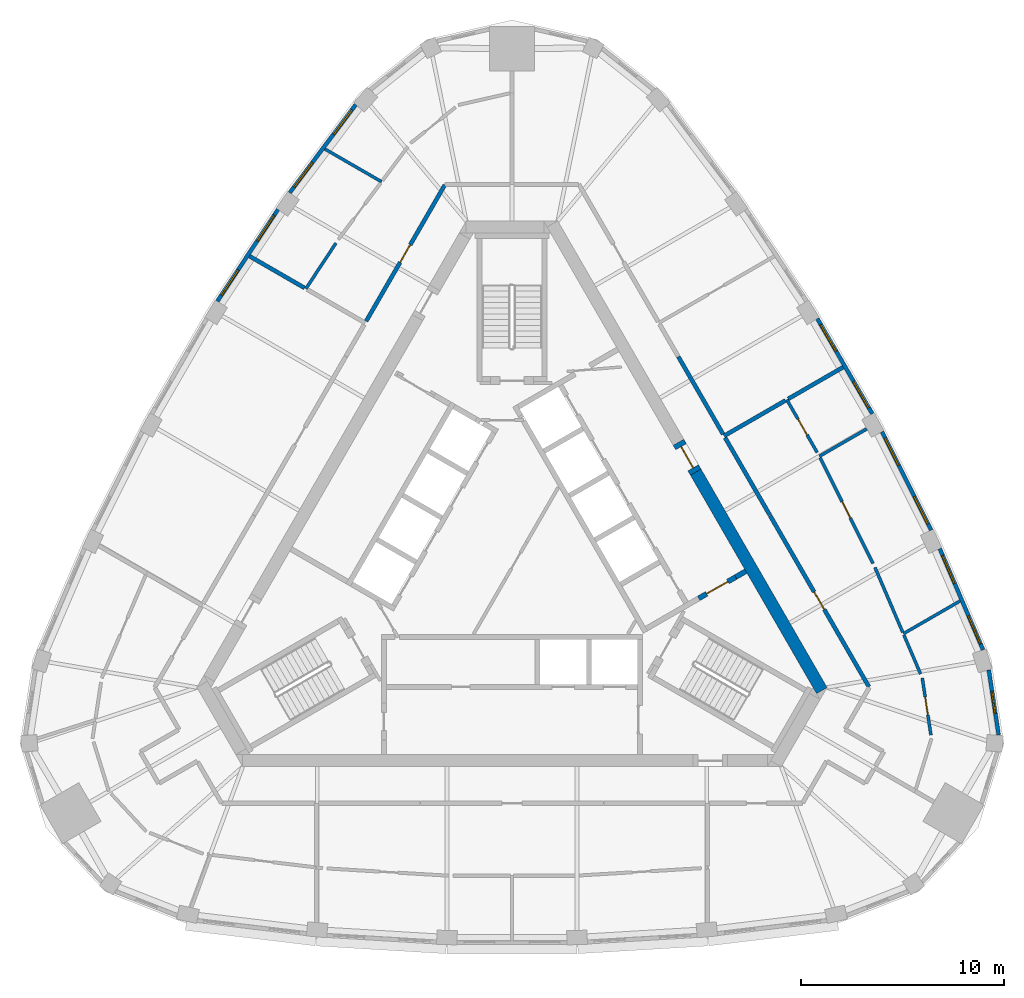
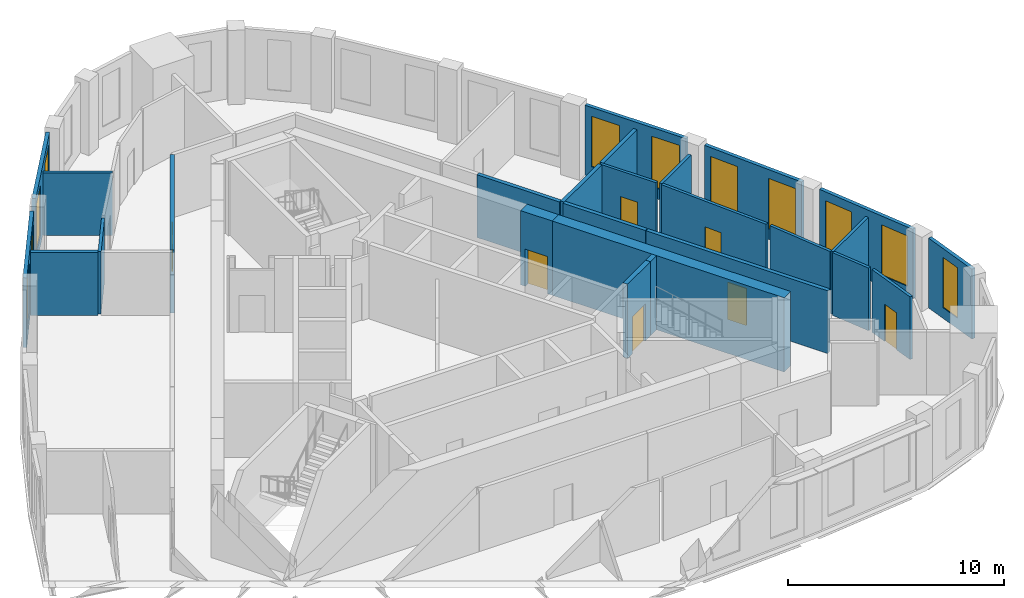
# One storey, part 7 of 10: 26 walls, 11 windows, 7 doors, 18 openings.
"""IFC4 building model written with IfcOpenShell, lengths in metres."""

from ifc_helpers import new_model, si_unit, direction, frame, frame_2d, origin, place, context, subcontext, project, spatial, rectangle, extrude, material, layer, layer_set, type_object, element, fill, save


model = new_model("IFC4")

# Units and contexts
model_context = context("Model", 3, precision=1e-05, world=origin(), true_north=direction((0.0, 1.0)))
body_context = subcontext(model_context, "Body", "Model", "MODEL_VIEW")
ifc_project = project(units=[si_unit("LENGTHUNIT", "METRE"), si_unit("AREAUNIT", "SQUARE_METRE"), si_unit("VOLUMEUNIT", "CUBIC_METRE"), si_unit("PLANEANGLEUNIT", "RADIAN"), si_unit("MASSUNIT", "GRAM", prefix="KILO")], contexts=[model_context])

# Site, building, storey
site_placement = place(None, origin())
site = spatial("IfcSite", under=ifc_project, at=site_placement, CompositionType="ELEMENT")
building_placement = place(site_placement, origin())
building = spatial("IfcBuilding", under=site, at=building_placement, Name="Mestral Congress Tower", CompositionType="ELEMENT")
storey_placement = place(building_placement, frame((0.0, 0.0, 313.199951171875)))
storey = spatial("IfcBuildingStorey", under=building, at=storey_placement, Name="L73", CompositionType="ELEMENT", Elevation=313.199951171875)

# Wall
ifc_material_1 = material(Name="Concrete C60/75", Category="concrete")
ifc_layer_1 = layer(ifc_material_1, 0.60009765625)
ifc_layer_set_1 = layer_set([ifc_layer_1], Name="Concrete C60/75")
wall_type_1 = type_object("IfcWallType", Name="Core wall RC 600", PredefinedType="SOLIDWALL", material=ifc_layer_set_1)
wall_1_placement = place(storey_placement, frame((9.0419921875, 4.23876953125, 0.0), z_axis=(0.0, 0.0, 1.0), x_axis=(0.500005785455, -0.866022063525, 0.0)))
element("IfcWall", 1, at=wall_1_placement, inside=storey, type_object=wall_type_1, Name="L73 core wall", PredefinedType="SOLIDWALL", context=body_context, shape_type="SweptSolid", body=[
    extrude(rectangle(XDim=12.406494140625, YDim=0.60009765625, at=frame_2d((6.203125, 0.0))), origin(), (0.0, 0.0, 1.0), 4.199951171875),
])

# Wall, opening, door
wall_2_placement = place(storey_placement, frame((8.19189453125, 5.711181640625, 0.0), z_axis=(0.0, 0.0, 1.0), x_axis=(0.500062241894, -0.865989465428, 0.0)))
wall_2 = element("IfcWall", 2, at=wall_2_placement, inside=storey, type_object=wall_type_1, Name="L73 door wall", PredefinedType="SOLIDWALL", context=body_context, shape_type="SweptSolid", body=[
    extrude(rectangle(XDim=1.699951171875, YDim=0.60009765625, at=frame_2d((0.85009765625, 0.0))), origin(), (0.0, 0.0, 1.0), 4.199951171875),
])
opening_1_placement = place(wall_2_placement, frame((0.25, 0.0, 0.0)))
opening_1 = element("IfcOpeningElement", 3, at=opening_1_placement, cuts=wall_2, Name="Opening XDL", PredefinedType="OPENING", context=body_context, shape_type="SweptSolid", body=[
    extrude(rectangle(XDim=1.199951171875, YDim=2.10009765625, at=frame_2d((0.60009765625, 1.050048828125))), frame((0.0, 0.31005859375, 0.0), z_axis=(0.0, -1.0, 0.0), x_axis=(1.0, 0.0, 0.0)), (0.0, 0.0, 1.0), 0.6201171875),
])
ifc_material_2 = material(Name="Fire-rated steel door set", Category="steel")
door_type_1 = type_object("IfcDoorType", Name="Core door XD 1200x2100", OperationType="SINGLE_SWING_LEFT", PredefinedType="DOOR", material=ifc_material_2)
door_1_placement = place(opening_1_placement, origin())
door_1 = element("IfcDoor", 4, at=door_1_placement, inside=storey, type_object=door_type_1, Name="Door XDL", OperationType="SINGLE_SWING_LEFT", OverallHeight=2.10009765625, OverallWidth=1.199951171875, PredefinedType="DOOR", context=body_context, shape_type="SweptSolid", body=[
    extrude(rectangle(XDim=1.199951171875, YDim=2.10009765625, at=frame_2d((0.60009765625, 1.050048828125))), frame((0.0, 0.02490234375, 0.0), z_axis=(0.0, -1.0, 0.0), x_axis=(1.0, 0.0, 0.0)), (0.0, 0.0, 1.0), 0.050048828125),
])
fill(opening_1, door_1)

# Wall, opening, window
ifc_material_3 = material(Name="Precast concrete C40/50 with limestone facing", Category="masonry")
ifc_layer_2 = layer(ifc_material_3, 0.18994140625)
ifc_layer_set_2 = layer_set([ifc_layer_2], Name="Precast concrete C40/50 with limestone facing")
wall_type_2 = type_object("IfcWallType", Name="Facade stone wall 190", PredefinedType="SOLIDWALL", material=ifc_layer_set_2)
wall_3_placement = place(storey_placement, frame((23.94384765625, -8.6884765625, 0.0), z_axis=(0.0, 0.0, 1.0), x_axis=(-0.149421055602, 0.988773658702, 0.0)))
wall_3 = element("IfcWall", 5, at=wall_3_placement, inside=storey, type_object=wall_type_2, Name="Facade wall K0-3", PredefinedType="SOLIDWALL", context=body_context, shape_type="SweptSolid", body=[
    extrude(rectangle(XDim=3.23681640625, YDim=0.18994140625, at=frame_2d((1.618408203125, 0.0))), origin(), (0.0, 0.0, 1.0), 3.949951171875),
])
opening_2_placement = place(wall_3_placement, frame((1.068359375, 0.0, 0.60009765625)))
opening_2 = element("IfcOpeningElement", 6, at=opening_2_placement, cuts=wall_3, Name="Opening W7", PredefinedType="OPENING", context=body_context, shape_type="SweptSolid", body=[
    extrude(rectangle(XDim=1.10009765625, YDim=2.85009765625, at=frame_2d((0.550048828125, 1.425048828125))), frame((0.0, 0.10498046875, 0.0), z_axis=(0.0, -1.0, 0.0), x_axis=(1.0, 0.0, 0.0)), (0.0, 0.0, 1.0), 0.2099609375),
])
ifc_material_4 = material(Name="Clear low-emissivity double glazing", Category="glass")
window_type_1 = type_object("IfcWindowType", Name="Facade punched window 1100 x 2850 sill 600", PartitioningType="SINGLE_PANEL", PredefinedType="WINDOW", material=ifc_material_4)
window_1_placement = place(opening_2_placement, origin())
window_1 = element("IfcWindow", 7, at=window_1_placement, inside=storey, type_object=window_type_1, Name="Window K0-3", OverallHeight=2.85009765625, OverallWidth=1.10009765625, PartitioningType="SINGLE_PANEL", PredefinedType="WINDOW", context=body_context, shape_type="SweptSolid", body=[
    extrude(rectangle(XDim=1.10009765625, YDim=2.85009765625, at=frame_2d((0.550048828125, 1.425048828125))), frame((0.0, 0.044921875, 0.0), z_axis=(0.0, -1.0, 0.0), x_axis=(1.0, 0.0, 0.0)), (0.0, 0.0, 1.0), 0.06005859375),
])
fill(opening_2, window_1)

# Wall, openings, windows
wall_4_placement = place(storey_placement, frame((23.1787109375, -4.50048828125, 0.0), z_axis=(0.0, 0.0, 1.0), x_axis=(-0.393347848476, 0.919389726992, 0.0)))
wall_4 = element("IfcWall", 8, at=wall_4_placement, inside=storey, type_object=wall_type_2, Name="Facade wall F1-00", PredefinedType="SOLIDWALL", context=body_context, shape_type="SweptSolid", body=[
    extrude(rectangle(XDim=5.414794921875, YDim=0.18994140625, at=frame_2d((2.70751953125, 0.0))), origin(), (0.0, 0.0, 1.0), 3.949951171875),
])
opening_3_placement = place(wall_4_placement, frame((0.322509765625, 0.0, 0.60009765625)))
opening_3 = element("IfcOpeningElement", 9, at=opening_3_placement, cuts=wall_4, Name="Opening W6", PredefinedType="OPENING", context=body_context, shape_type="SweptSolid", body=[
    extrude(rectangle(XDim=1.5, YDim=2.85009765625, at=frame_2d((0.75, 1.425048828125))), frame((0.0, 0.10498046875, 0.0), z_axis=(0.0, -1.0, 0.0), x_axis=(1.0, 0.0, 0.0)), (0.0, 0.0, 1.0), 0.2099609375),
])
opening_4_placement = place(wall_4_placement, frame((3.5576171875, 0.0, 0.60009765625)))
opening_4 = element("IfcOpeningElement", 10, at=opening_4_placement, cuts=wall_4, Name="Opening W6", PredefinedType="OPENING", context=body_context, shape_type="SweptSolid", body=[
    extrude(rectangle(XDim=1.5, YDim=2.85009765625, at=frame_2d((0.75, 1.425048828125))), frame((0.0, 0.10498046875, 0.0), z_axis=(0.0, -1.0, 0.0), x_axis=(1.0, 0.0, 0.0)), (0.0, 0.0, 1.0), 0.2099609375),
])
window_type_2 = type_object("IfcWindowType", Name="Facade punched window 1500 x 2850 sill 600", PartitioningType="SINGLE_PANEL", PredefinedType="WINDOW", material=ifc_material_4)
window_2_placement = place(opening_3_placement, origin())
window_2 = element("IfcWindow", 11, at=window_2_placement, inside=storey, type_object=window_type_2, Name="Window F1-00a", OverallHeight=2.85009765625, OverallWidth=1.5, PartitioningType="SINGLE_PANEL", PredefinedType="WINDOW", context=body_context, shape_type="SweptSolid", body=[
    extrude(rectangle(XDim=1.5, YDim=2.85009765625, at=frame_2d((0.75, 1.425048828125))), frame((0.0, 0.044921875, 0.0), z_axis=(0.0, -1.0, 0.0), x_axis=(1.0, 0.0, 0.0)), (0.0, 0.0, 1.0), 0.06005859375),
])
fill(opening_3, window_2)
window_3_placement = place(opening_4_placement, origin())
window_3 = element("IfcWindow", 12, at=window_3_placement, inside=storey, type_object=window_type_2, Name="Window F1-00b", OverallHeight=2.85009765625, OverallWidth=1.5, PartitioningType="SINGLE_PANEL", PredefinedType="WINDOW", context=body_context, shape_type="SweptSolid", body=[
    extrude(rectangle(XDim=1.5, YDim=2.85009765625, at=frame_2d((0.75, 1.425048828125))), frame((0.0, 0.044921875, 0.0), z_axis=(0.0, -1.0, 0.0), x_axis=(1.0, 0.0, 0.0)), (0.0, 0.0, 1.0), 0.06005859375),
])
fill(opening_4, window_3)

wall_5_placement = place(storey_placement, frame((20.625, 1.39208984375, 0.0), z_axis=(0.0, 0.0, 1.0), x_axis=(-0.447484531401, 0.894291671747, 0.0)))
wall_5 = element("IfcWall", 13, at=wall_5_placement, inside=storey, type_object=wall_type_2, Name="Facade wall F1-01", PredefinedType="SOLIDWALL", context=body_context, shape_type="SweptSolid", body=[
    extrude(rectangle(XDim=5.40625, YDim=0.18994140625, at=frame_2d((2.703125, 0.0))), origin(), (0.0, 0.0, 1.0), 3.949951171875),
])
opening_5_placement = place(wall_5_placement, frame((0.346435546875, 0.0, 0.60009765625)))
opening_5 = element("IfcOpeningElement", 14, at=opening_5_placement, cuts=wall_5, Name="Opening W6", PredefinedType="OPENING", context=body_context, shape_type="SweptSolid", body=[
    extrude(rectangle(XDim=1.5, YDim=2.85009765625, at=frame_2d((0.75, 1.425048828125))), frame((0.0, 0.10498046875, 0.0), z_axis=(0.0, -1.0, 0.0), x_axis=(1.0, 0.0, 0.0)), (0.0, 0.0, 1.0), 0.2099609375),
])
opening_6_placement = place(wall_5_placement, frame((3.559326171875, 0.0, 0.60009765625)))
opening_6 = element("IfcOpeningElement", 15, at=opening_6_placement, cuts=wall_5, Name="Opening W6", PredefinedType="OPENING", context=body_context, shape_type="SweptSolid", body=[
    extrude(rectangle(XDim=1.5, YDim=2.85009765625, at=frame_2d((0.75, 1.425048828125))), frame((0.0, 0.10498046875, 0.0), z_axis=(0.0, -1.0, 0.0), x_axis=(1.0, 0.0, 0.0)), (0.0, 0.0, 1.0), 0.2099609375),
])
window_4_placement = place(opening_5_placement, origin())
window_4 = element("IfcWindow", 16, at=window_4_placement, inside=storey, type_object=window_type_2, Name="Window F1-01a", OverallHeight=2.85009765625, OverallWidth=1.5, PartitioningType="SINGLE_PANEL", PredefinedType="WINDOW", context=body_context, shape_type="SweptSolid", body=[
    extrude(rectangle(XDim=1.5, YDim=2.85009765625, at=frame_2d((0.75, 1.425048828125))), frame((0.0, 0.044921875, 0.0), z_axis=(0.0, -1.0, 0.0), x_axis=(1.0, 0.0, 0.0)), (0.0, 0.0, 1.0), 0.06005859375),
])
fill(opening_5, window_4)
window_5_placement = place(opening_6_placement, origin())
window_5 = element("IfcWindow", 17, at=window_5_placement, inside=storey, type_object=window_type_2, Name="Window F1-01b", OverallHeight=2.85009765625, OverallWidth=1.5, PartitioningType="SINGLE_PANEL", PredefinedType="WINDOW", context=body_context, shape_type="SweptSolid", body=[
    extrude(rectangle(XDim=1.5, YDim=2.85009765625, at=frame_2d((0.75, 1.425048828125))), frame((0.0, 0.044921875, 0.0), z_axis=(0.0, -1.0, 0.0), x_axis=(1.0, 0.0, 0.0)), (0.0, 0.0, 1.0), 0.06005859375),
])
fill(opening_6, window_5)

wall_6_placement = place(storey_placement, frame((17.728271484375, 7.1142578125, 0.0), z_axis=(0.0, 0.0, 1.0), x_axis=(-0.500024767483, 0.866011103799, 0.0)))
wall_6 = element("IfcWall", 18, at=wall_6_placement, inside=storey, type_object=wall_type_2, Name="Facade wall F1-02", PredefinedType="SOLIDWALL", context=body_context, shape_type="SweptSolid", body=[
    extrude(rectangle(XDim=5.406005859375, YDim=0.18994140625, at=frame_2d((2.703125, 0.0))), origin(), (0.0, 0.0, 1.0), 3.949951171875),
])
opening_7_placement = place(wall_6_placement, frame((0.346435546875, 0.0, 0.60009765625)))
opening_7 = element("IfcOpeningElement", 19, at=opening_7_placement, cuts=wall_6, Name="Opening W6", PredefinedType="OPENING", context=body_context, shape_type="SweptSolid", body=[
    extrude(rectangle(XDim=1.5, YDim=2.85009765625, at=frame_2d((0.75, 1.425048828125))), frame((0.0, 0.10498046875, 0.0), z_axis=(0.0, -1.0, 0.0), x_axis=(1.0, 0.0, 0.0)), (0.0, 0.0, 1.0), 0.2099609375),
])
opening_8_placement = place(wall_6_placement, frame((3.5595703125, 0.0, 0.60009765625)))
opening_8 = element("IfcOpeningElement", 20, at=opening_8_placement, cuts=wall_6, Name="Opening W6", PredefinedType="OPENING", context=body_context, shape_type="SweptSolid", body=[
    extrude(rectangle(XDim=1.5, YDim=2.85009765625, at=frame_2d((0.75, 1.425048828125))), frame((0.0, 0.10498046875, 0.0), z_axis=(0.0, -1.0, 0.0), x_axis=(1.0, 0.0, 0.0)), (0.0, 0.0, 1.0), 0.2099609375),
])
window_6_placement = place(opening_7_placement, origin())
window_6 = element("IfcWindow", 21, at=window_6_placement, inside=storey, type_object=window_type_2, Name="Window F1-02a", OverallHeight=2.85009765625, OverallWidth=1.5, PartitioningType="SINGLE_PANEL", PredefinedType="WINDOW", context=body_context, shape_type="SweptSolid", body=[
    extrude(rectangle(XDim=1.5, YDim=2.85009765625, at=frame_2d((0.75, 1.425048828125))), frame((0.0, 0.044921875, 0.0), z_axis=(0.0, -1.0, 0.0), x_axis=(1.0, 0.0, 0.0)), (0.0, 0.0, 1.0), 0.06005859375),
])
fill(opening_7, window_6)
window_7_placement = place(opening_8_placement, origin())
window_7 = element("IfcWindow", 22, at=window_7_placement, inside=storey, type_object=window_type_2, Name="Window F1-02b", OverallHeight=2.85009765625, OverallWidth=1.5, PartitioningType="SINGLE_PANEL", PredefinedType="WINDOW", context=body_context, shape_type="SweptSolid", body=[
    extrude(rectangle(XDim=1.5, YDim=2.85009765625, at=frame_2d((0.75, 1.425048828125))), frame((0.0, 0.044921875, 0.0), z_axis=(0.0, -1.0, 0.0), x_axis=(1.0, 0.0, 0.0)), (0.0, 0.0, 1.0), 0.06005859375),
])
fill(opening_8, window_7)

wall_7_placement = place(storey_placement, frame((-7.691650390625, 22.32373046875, 0.0), z_axis=(0.0, 0.0, 1.0), x_axis=(-0.599559865294, -0.800329911929, 0.0)))
wall_7 = element("IfcWall", 23, at=wall_7_placement, inside=storey, type_object=wall_type_2, Name="Facade wall F2-00", PredefinedType="SOLIDWALL", context=body_context, shape_type="SweptSolid", body=[
    extrude(rectangle(XDim=5.4150390625, YDim=0.18994140625, at=frame_2d((2.70751953125, 0.0))), origin(), (0.0, 0.0, 1.0), 3.949951171875),
])
opening_9_placement = place(wall_7_placement, frame((0.322509765625, 0.0, 0.60009765625)))
opening_9 = element("IfcOpeningElement", 24, at=opening_9_placement, cuts=wall_7, Name="Opening W6", PredefinedType="OPENING", context=body_context, shape_type="SweptSolid", body=[
    extrude(rectangle(XDim=1.5, YDim=2.85009765625, at=frame_2d((0.75, 1.425048828125))), frame((0.0, 0.10498046875, 0.0), z_axis=(0.0, -1.0, 0.0), x_axis=(1.0, 0.0, 0.0)), (0.0, 0.0, 1.0), 0.2099609375),
])
opening_10_placement = place(wall_7_placement, frame((3.5576171875, 0.0, 0.60009765625)))
opening_10 = element("IfcOpeningElement", 25, at=opening_10_placement, cuts=wall_7, Name="Opening W6", PredefinedType="OPENING", context=body_context, shape_type="SweptSolid", body=[
    extrude(rectangle(XDim=1.5, YDim=2.85009765625, at=frame_2d((0.75, 1.425048828125))), frame((0.0, 0.10498046875, 0.0), z_axis=(0.0, -1.0, 0.0), x_axis=(1.0, 0.0, 0.0)), (0.0, 0.0, 1.0), 0.2099609375),
])
window_8_placement = place(opening_9_placement, origin())
window_8 = element("IfcWindow", 26, at=window_8_placement, inside=storey, type_object=window_type_2, Name="Window F2-00a", OverallHeight=2.85009765625, OverallWidth=1.5, PartitioningType="SINGLE_PANEL", PredefinedType="WINDOW", context=body_context, shape_type="SweptSolid", body=[
    extrude(rectangle(XDim=1.5, YDim=2.85009765625, at=frame_2d((0.75, 1.425048828125))), frame((0.0, 0.044921875, 0.0), z_axis=(0.0, -1.0, 0.0), x_axis=(1.0, 0.0, 0.0)), (0.0, 0.0, 1.0), 0.06005859375),
])
fill(opening_9, window_8)
window_9_placement = place(opening_10_placement, origin())
window_9 = element("IfcWindow", 27, at=window_9_placement, inside=storey, type_object=window_type_2, Name="Window F2-00b", OverallHeight=2.85009765625, OverallWidth=1.5, PartitioningType="SINGLE_PANEL", PredefinedType="WINDOW", context=body_context, shape_type="SweptSolid", body=[
    extrude(rectangle(XDim=1.5, YDim=2.85009765625, at=frame_2d((0.75, 1.425048828125))), frame((0.0, 0.044921875, 0.0), z_axis=(0.0, -1.0, 0.0), x_axis=(1.0, 0.0, 0.0)), (0.0, 0.0, 1.0), 0.06005859375),
])
fill(opening_10, window_9)

wall_8_placement = place(storey_placement, frame((-11.518310546875, 17.16552734375, 0.0), z_axis=(0.0, 0.0, 1.0), x_axis=(-0.550744054781, -0.83467417962, 0.0)))
wall_8 = element("IfcWall", 28, at=wall_8_placement, inside=storey, type_object=wall_type_2, Name="Facade wall F2-01", PredefinedType="SOLIDWALL", context=body_context, shape_type="SweptSolid", body=[
    extrude(rectangle(XDim=5.406005859375, YDim=0.18994140625, at=frame_2d((2.703125, 0.0))), origin(), (0.0, 0.0, 1.0), 3.949951171875),
])
opening_11_placement = place(wall_8_placement, frame((0.346435546875, 0.0, 0.60009765625)))
opening_11 = element("IfcOpeningElement", 29, at=opening_11_placement, cuts=wall_8, Name="Opening W6", PredefinedType="OPENING", context=body_context, shape_type="SweptSolid", body=[
    extrude(rectangle(XDim=1.5, YDim=2.85009765625, at=frame_2d((0.75, 1.425048828125))), frame((0.0, 0.10498046875, 0.0), z_axis=(0.0, -1.0, 0.0), x_axis=(1.0, 0.0, 0.0)), (0.0, 0.0, 1.0), 0.2099609375),
])
opening_12_placement = place(wall_8_placement, frame((3.559326171875, 0.0, 0.60009765625)))
opening_12 = element("IfcOpeningElement", 30, at=opening_12_placement, cuts=wall_8, Name="Opening W6", PredefinedType="OPENING", context=body_context, shape_type="SweptSolid", body=[
    extrude(rectangle(XDim=1.5, YDim=2.85009765625, at=frame_2d((0.75, 1.425048828125))), frame((0.0, 0.10498046875, 0.0), z_axis=(0.0, -1.0, 0.0), x_axis=(1.0, 0.0, 0.0)), (0.0, 0.0, 1.0), 0.2099609375),
])
window_10_placement = place(opening_11_placement, origin())
window_10 = element("IfcWindow", 31, at=window_10_placement, inside=storey, type_object=window_type_2, Name="Window F2-01a", OverallHeight=2.85009765625, OverallWidth=1.5, PartitioningType="SINGLE_PANEL", PredefinedType="WINDOW", context=body_context, shape_type="SweptSolid", body=[
    extrude(rectangle(XDim=1.5, YDim=2.85009765625, at=frame_2d((0.75, 1.425048828125))), frame((0.0, 0.044921875, 0.0), z_axis=(0.0, -1.0, 0.0), x_axis=(1.0, 0.0, 0.0)), (0.0, 0.0, 1.0), 0.06005859375),
])
fill(opening_11, window_10)
window_11_placement = place(opening_12_placement, origin())
window_11 = element("IfcWindow", 32, at=window_11_placement, inside=storey, type_object=window_type_2, Name="Window F2-01b", OverallHeight=2.85009765625, OverallWidth=1.5, PartitioningType="SINGLE_PANEL", PredefinedType="WINDOW", context=body_context, shape_type="SweptSolid", body=[
    extrude(rectangle(XDim=1.5, YDim=2.85009765625, at=frame_2d((0.75, 1.425048828125))), frame((0.0, 0.044921875, 0.0), z_axis=(0.0, -1.0, 0.0), x_axis=(1.0, 0.0, 0.0)), (0.0, 0.0, 1.0), 0.06005859375),
])
fill(opening_12, window_11)

# Wall
ifc_material_5 = material(Name="Plasterboard partition on steel studs", Category="steel")
ifc_layer_3 = layer(ifc_material_5, 0.14990234375)
ifc_layer_set_3 = layer_set([ifc_layer_3], Name="Plasterboard partition on steel studs")
wall_type_3 = type_object("IfcWallType", Name="Office partition 150", PredefinedType="PARTITIONING", material=ifc_layer_set_3)
wall_9_placement = place(storey_placement, frame((19.255859375, -3.708251953125, 0.0), z_axis=(0.0, 0.0, 1.0), x_axis=(0.866053139749, 0.499951956822, 0.0)))
element("IfcWall", 33, at=wall_9_placement, inside=storey, type_object=wall_type_3, Name="Partition", PredefinedType="PARTITIONING", context=body_context, shape_type="SweptSolid", body=[
    extrude(rectangle(XDim=3.222900390625, YDim=0.14990234375, at=frame_2d((1.611328125, 0.0))), origin(), (0.0, 0.0, 1.0), 3.550048828125),
])

# Wall, opening, door
wall_10_placement = place(storey_placement, frame((20.188232421875, -5.8876953125, 0.0), z_axis=(0.0, 0.0, 1.0), x_axis=(0.149382709391, -0.988779452727, 0.0)))
wall_10 = element("IfcWall", 34, at=wall_10_placement, inside=storey, type_object=wall_type_3, Name="Partition", PredefinedType="PARTITIONING", context=body_context, shape_type="SweptSolid", body=[
    extrude(rectangle(XDim=2.840576171875, YDim=0.14990234375, at=frame_2d((1.42041015625, 0.0))), origin(), (0.0, 0.0, 1.0), 3.550048828125),
])
opening_13_placement = place(wall_10_placement, frame((0.940673828125, 0.0, 0.0)))
opening_13 = element("IfcOpeningElement", 35, at=opening_13_placement, cuts=wall_10, Name="Opening O14-005", PredefinedType="OPENING", context=body_context, shape_type="SweptSolid", body=[
    extrude(rectangle(XDim=0.89990234375, YDim=2.10009765625, at=frame_2d((0.449951171875, 1.050048828125))), frame((0.0, 0.0849609375, 0.0), z_axis=(0.0, -1.0, 0.0), x_axis=(1.0, 0.0, 0.0)), (0.0, 0.0, 1.0), 0.169921875),
])
ifc_material_6 = material(Name="Timber door set", Category="wood")
door_type_2 = type_object("IfcDoorType", Name="Office door 900x2100", OperationType="SINGLE_SWING_LEFT", PredefinedType="DOOR", material=ifc_material_6)
door_2_placement = place(opening_13_placement, origin())
door_2 = element("IfcDoor", 36, at=door_2_placement, inside=storey, type_object=door_type_2, Name="Door O14-005", OperationType="SINGLE_SWING_LEFT", OverallHeight=2.10009765625, OverallWidth=0.89990234375, PredefinedType="DOOR", context=body_context, shape_type="SweptSolid", body=[
    extrude(rectangle(XDim=0.89990234375, YDim=2.10009765625, at=frame_2d((0.449951171875, 1.050048828125))), frame((0.0, 0.02490234375, 0.0), z_axis=(0.0, -1.0, 0.0), x_axis=(1.0, 0.0, 0.0)), (0.0, 0.0, 1.0), 0.050048828125),
])
fill(opening_13, door_2)

# Walls
wall_11_placement = place(storey_placement, frame((20.10400390625, -5.6904296875, 0.0), z_axis=(0.0, 0.0, 1.0), x_axis=(-0.393381007091, 0.919375539842, 0.0)))
element("IfcWall", 37, at=wall_11_placement, inside=storey, type_object=wall_type_3, Name="Partition", PredefinedType="PARTITIONING", context=body_context, shape_type="SweptSolid", body=[
    extrude(rectangle(XDim=2.080322265625, YDim=0.14990234375, at=frame_2d((1.0400390625, 0.0))), origin(), (0.0, 0.0, 1.0), 3.550048828125),
])
wall_12_placement = place(storey_placement, frame((15.124267578125, 5.02197265625, 0.0), z_axis=(0.0, 0.0, 1.0), x_axis=(0.866010629317, 0.500025589255, 0.0)))
element("IfcWall", 38, at=wall_12_placement, inside=storey, type_object=wall_type_3, Name="Partition", PredefinedType="PARTITIONING", context=body_context, shape_type="SweptSolid", body=[
    extrude(rectangle(XDim=2.695556640625, YDim=0.14990234375, at=frame_2d((1.34765625, 0.0))), origin(), (0.0, 0.0, 1.0), 3.550048828125),
])
wall_13_placement = place(storey_placement, frame((19.226318359375, -3.638916015625, 0.0), z_axis=(0.0, 0.0, 1.0), x_axis=(-0.393350933662, 0.919388407033, 0.0)))
element("IfcWall", 39, at=wall_13_placement, inside=storey, type_object=wall_type_3, Name="Partition", PredefinedType="PARTITIONING", context=body_context, shape_type="SweptSolid", body=[
    extrude(rectangle(XDim=3.473876953125, YDim=0.14990234375, at=frame_2d((1.73681640625, 0.0))), origin(), (0.0, 0.0, 1.0), 3.550048828125),
])

# Wall, opening, door
wall_14_placement = place(storey_placement, frame((15.157958984375, 4.954833984375, 0.0), z_axis=(0.0, 0.0, 1.0), x_axis=(0.447465104013, -0.894301392535, 0.0)))
wall_14 = element("IfcWall", 40, at=wall_14_placement, inside=storey, type_object=wall_type_3, Name="Partition", PredefinedType="PARTITIONING", context=body_context, shape_type="SweptSolid", body=[
    extrude(rectangle(XDim=5.82373046875, YDim=0.14990234375, at=frame_2d((2.911865234375, 0.0))), origin(), (0.0, 0.0, 1.0), 3.550048828125),
])
opening_14_placement = place(wall_14_placement, frame((2.423828125, 0.0, 0.0)))
opening_14 = element("IfcOpeningElement", 41, at=opening_14_placement, cuts=wall_14, Name="Opening O14-006", PredefinedType="OPENING", context=body_context, shape_type="SweptSolid", body=[
    extrude(rectangle(XDim=0.89990234375, YDim=2.10009765625, at=frame_2d((0.449951171875, 1.050048828125))), frame((0.0, 0.0849609375, 0.0), z_axis=(0.0, -1.0, 0.0), x_axis=(1.0, 0.0, 0.0)), (0.0, 0.0, 1.0), 0.169921875),
])
door_3_placement = place(opening_14_placement, origin())
door_3 = element("IfcDoor", 42, at=door_3_placement, inside=storey, type_object=door_type_2, Name="Door O14-006", OperationType="SINGLE_SWING_LEFT", OverallHeight=2.10009765625, OverallWidth=0.89990234375, PredefinedType="DOOR", context=body_context, shape_type="SweptSolid", body=[
    extrude(rectangle(XDim=0.89990234375, YDim=2.10009765625, at=frame_2d((0.449951171875, 1.050048828125))), frame((0.0, 0.02490234375, 0.0), z_axis=(0.0, -1.0, 0.0), x_axis=(1.0, 0.0, 0.0)), (0.0, 0.0, 1.0), 0.050048828125),
])
fill(opening_14, door_3)

wall_15_placement = place(storey_placement, frame((13.523193359375, 7.8076171875, 0.0), z_axis=(0.0, 0.0, 1.0), x_axis=(0.498338040698, -0.866982812513, 0.0)))
wall_15 = element("IfcWall", 43, at=wall_15_placement, inside=storey, type_object=wall_type_3, Name="Partition", PredefinedType="PARTITIONING", context=body_context, shape_type="SweptSolid", body=[
    extrude(rectangle(XDim=2.998779296875, YDim=0.14990234375, at=frame_2d((1.49951171875, 0.0))), origin(), (0.0, 0.0, 1.0), 3.550048828125),
])
opening_15_placement = place(wall_15_placement, frame((1.0986328125, 0.0, 0.0)))
opening_15 = element("IfcOpeningElement", 44, at=opening_15_placement, cuts=wall_15, Name="Opening O14-007", PredefinedType="OPENING", context=body_context, shape_type="SweptSolid", body=[
    extrude(rectangle(XDim=0.89990234375, YDim=2.10009765625, at=frame_2d((0.449951171875, 1.050048828125))), frame((0.0, 0.0849609375, 0.0), z_axis=(0.0, -1.0, 0.0), x_axis=(1.0, 0.0, 0.0)), (0.0, 0.0, 1.0), 0.169921875),
])
door_4_placement = place(opening_15_placement, origin())
door_4 = element("IfcDoor", 45, at=door_4_placement, inside=storey, type_object=door_type_2, Name="Door O14-007", OperationType="SINGLE_SWING_RIGHT", OverallHeight=2.10009765625, OverallWidth=0.89990234375, PredefinedType="DOOR", context=body_context, shape_type="SweptSolid", body=[
    extrude(rectangle(XDim=0.89990234375, YDim=2.10009765625, at=frame_2d((0.449951171875, 1.050048828125))), frame((0.0, 0.02490234375, 0.0), z_axis=(0.0, -1.0, 0.0), x_axis=(1.0, 0.0, 0.0)), (0.0, 0.0, 1.0), 0.050048828125),
])
fill(opening_15, door_4)

# Walls
wall_16_placement = place(storey_placement, frame((-6.41650390625, 18.5302734375, 0.0), z_axis=(0.0, 0.0, 1.0), x_axis=(-0.866034203951, 0.499984757355, 0.0)))
element("IfcWall", 46, at=wall_16_placement, inside=storey, type_object=wall_type_3, Name="Partition", PredefinedType="PARTITIONING", context=body_context, shape_type="SweptSolid", body=[
    extrude(rectangle(XDim=3.22265625, YDim=0.14990234375, at=frame_2d((1.611328125, 0.0))), origin(), (0.0, 0.0, 1.0), 3.550048828125),
])
wall_17_placement = place(storey_placement, frame((-8.662353515625, 15.5107421875, 0.0), z_axis=(0.0, 0.0, 1.0), x_axis=(-0.550792824442, -0.834641997831, 0.0)))
element("IfcWall", 47, at=wall_17_placement, inside=storey, type_object=wall_type_3, Name="Partition", PredefinedType="PARTITIONING", context=body_context, shape_type="SweptSolid", body=[
    extrude(rectangle(XDim=2.68603515625, YDim=0.14990234375, at=frame_2d((1.343017578125, 0.0))), origin(), (0.0, 0.0, 1.0), 3.550048828125),
])
ifc_material_7 = material(Name="Dense masonry wall, plastered", Category="masonry")
ifc_layer_4 = layer(ifc_material_7, 0.199951171875)
ifc_layer_set_4 = layer_set([ifc_layer_4], Name="Dense masonry wall, plastered")
wall_type_4 = type_object("IfcWallType", Name="Office tenancy wall 200", PredefinedType="PARTITIONING", material=ifc_layer_set_4)
wall_18_placement = place(storey_placement, frame((13.588134765625, 7.84521484375, 0.0), z_axis=(0.0, 0.0, 1.0), x_axis=(0.866022959057, 0.500004234368, 0.0)))
element("IfcWall", 48, at=wall_18_placement, inside=storey, type_object=wall_type_4, Name="Tenancy wall", PredefinedType="PARTITIONING", context=body_context, shape_type="SweptSolid", body=[
    extrude(rectangle(XDim=3.125, YDim=0.199951171875, at=frame_2d((1.5625, 0.0))), origin(), (0.0, 0.0, 1.0), 3.550048828125),
])
wall_19_placement = place(storey_placement, frame((10.435546875, 6.02490234375, 0.0), z_axis=(0.0, 0.0, 1.0), x_axis=(0.866030664334, 0.49999088835, 0.0)))
element("IfcWall", 49, at=wall_19_placement, inside=storey, type_object=wall_type_4, Name="Tenancy wall", PredefinedType="PARTITIONING", context=body_context, shape_type="SweptSolid", body=[
    extrude(rectangle(XDim=3.490234375, YDim=0.199951171875, at=frame_2d((1.7451171875, 0.0))), origin(), (0.0, 0.0, 1.0), 3.550048828125),
])
wall_20_placement = place(storey_placement, frame((12.685546875, 2.1279296875, 0.0), z_axis=(0.0, 0.0, 1.0), x_axis=(-0.499988222896, 0.866032203192, 0.0)))
element("IfcWall", 50, at=wall_20_placement, inside=storey, type_object=wall_type_4, Name="Tenancy wall", PredefinedType="PARTITIONING", context=body_context, shape_type="SweptSolid", body=[
    extrude(rectangle(XDim=4.39990234375, YDim=0.199951171875, at=frame_2d((2.199951171875, 0.0))), origin(), (0.0, 0.0, 1.0), 3.550048828125),
])

# Wall, opening, door
wall_21_placement = place(storey_placement, frame((17.565185546875, -6.323974609375, 0.0), z_axis=(0.0, 0.0, 1.0), x_axis=(-0.499990354792, 0.866030972376, 0.0)))
wall_21 = element("IfcWall", 51, at=wall_21_placement, inside=storey, type_object=wall_type_4, Name="Tenancy wall", PredefinedType="PARTITIONING", context=body_context, shape_type="SweptSolid", body=[
    extrude(rectangle(XDim=9.729248046875, YDim=0.199951171875, at=frame_2d((4.86474609375, 0.0))), origin(), (0.0, 0.0, 1.0), 3.550048828125),
])
opening_16_placement = place(wall_21_placement, frame((4.39990234375, 0.0, 0.0)))
opening_16 = element("IfcOpeningElement", 52, at=opening_16_placement, cuts=wall_21, Name="Opening O14-008", PredefinedType="OPENING", context=body_context, shape_type="SweptSolid", body=[
    extrude(rectangle(XDim=1.0, YDim=2.10009765625, at=frame_2d((0.5, 1.050048828125))), frame((0.0, 0.10986328125, 0.0), z_axis=(0.0, -1.0, 0.0), x_axis=(1.0, 0.0, 0.0)), (0.0, 0.0, 1.0), 0.219970703125),
])
ifc_material_8 = material(Name="Fire-rated timber door set", Category="wood")
door_type_3 = type_object("IfcDoorType", Name="Office tenancy entrance door 1000x2100", OperationType="SINGLE_SWING_LEFT", PredefinedType="DOOR", material=ifc_material_8)
door_5_placement = place(opening_16_placement, origin())
door_5 = element("IfcDoor", 53, at=door_5_placement, inside=storey, type_object=door_type_3, Name="Door O14-008", OperationType="SINGLE_SWING_RIGHT", OverallHeight=2.10009765625, OverallWidth=1.0, PredefinedType="DOOR", context=body_context, shape_type="SweptSolid", body=[
    extrude(rectangle(XDim=1.0, YDim=2.10009765625, at=frame_2d((0.5, 1.050048828125))), frame((0.0, 0.02490234375, 0.0), z_axis=(0.0, -1.0, 0.0), x_axis=(1.0, 0.0, 0.0)), (0.0, 0.0, 1.0), 0.050048828125),
])
fill(opening_16, door_5)

# Walls
wall_22_placement = place(storey_placement, frame((10.385498046875, 6.111572265625, 0.0), z_axis=(0.0, 0.0, 1.0), x_axis=(-0.499988222896, 0.866032203192, 0.0)))
element("IfcWall", 54, at=wall_22_placement, inside=storey, type_object=wall_type_4, Name="Tenancy wall", PredefinedType="PARTITIONING", context=body_context, shape_type="SweptSolid", body=[
    extrude(rectangle(XDim=4.39990234375, YDim=0.199951171875, at=frame_2d((2.199951171875, 0.0))), origin(), (0.0, 0.0, 1.0), 3.550048828125),
])
wall_23_placement = place(storey_placement, frame((-10.206787109375, 13.306396484375, 0.0), z_axis=(0.0, 0.0, 1.0), x_axis=(-0.866041434906, 0.499972232254, 0.0)))
element("IfcWall", 55, at=wall_23_placement, inside=storey, type_object=wall_type_4, Name="Tenancy wall", PredefinedType="PARTITIONING", context=body_context, shape_type="SweptSolid", body=[
    extrude(rectangle(XDim=3.130615234375, YDim=0.199951171875, at=frame_2d((1.5654296875, 0.0))), origin(), (0.0, 0.0, 1.0), 3.550048828125),
])

# Wall, opening, door
wall_24_placement = place(storey_placement, frame((-3.305908203125, 18.3740234375, 0.0), z_axis=(0.0, 0.0, 1.0), x_axis=(-0.500000072396, -0.866025361987, 0.0)))
wall_24 = element("IfcWall", 56, at=wall_24_placement, inside=storey, type_object=wall_type_4, Name="Tenancy wall", PredefinedType="PARTITIONING", context=body_context, shape_type="SweptSolid", body=[
    extrude(rectangle(XDim=7.7392578125, YDim=0.199951171875, at=frame_2d((3.86962890625, 0.0))), origin(), (0.0, 0.0, 1.0), 3.550048828125),
])
opening_17_placement = place(wall_24_placement, frame((3.39990234375, 0.0, 0.0)))
opening_17 = element("IfcOpeningElement", 57, at=opening_17_placement, cuts=wall_24, Name="Opening O14-013", PredefinedType="OPENING", context=body_context, shape_type="SweptSolid", body=[
    extrude(rectangle(XDim=1.0, YDim=2.10009765625, at=frame_2d((0.5, 1.050048828125))), frame((0.0, 0.10986328125, 0.0), z_axis=(0.0, -1.0, 0.0), x_axis=(1.0, 0.0, 0.0)), (0.0, 0.0, 1.0), 0.219970703125),
])
door_6_placement = place(opening_17_placement, origin())
door_6 = element("IfcDoor", 58, at=door_6_placement, inside=storey, type_object=door_type_3, Name="Door O14-013", OperationType="SINGLE_SWING_RIGHT", OverallHeight=2.10009765625, OverallWidth=1.0, PredefinedType="DOOR", context=body_context, shape_type="SweptSolid", body=[
    extrude(rectangle(XDim=1.0, YDim=2.10009765625, at=frame_2d((0.5, 1.050048828125))), frame((0.0, 0.02490234375, 0.0), z_axis=(0.0, -1.0, 0.0), x_axis=(1.0, 0.0, 0.0)), (0.0, 0.0, 1.0), 0.050048828125),
])
fill(opening_17, door_6)

# Wall
ifc_layer_5 = layer(ifc_material_1, 0.25)
ifc_layer_set_5 = layer_set([ifc_layer_5], Name="Concrete C60/75")
wall_type_5 = type_object("IfcWallType", Name="Shaft wall RC 250", PredefinedType="SOLIDWALL", material=ifc_layer_set_5)
wall_25_placement = place(storey_placement, frame((11.507080078125, -0.631103515625, 0.0), z_axis=(0.0, 0.0, 1.0), x_axis=(-0.866093731455, -0.499881634324, 0.0)))
element("IfcWall", 59, at=wall_25_placement, inside=storey, type_object=wall_type_5, Name="L73 core wall", PredefinedType="SOLIDWALL", context=body_context, shape_type="SweptSolid", body=[
    extrude(rectangle(XDim=0.575439453125, YDim=0.25, at=frame_2d((0.28759765625, 0.0))), origin(), (0.0, 0.0, 1.0), 4.199951171875),
])

# Wall, opening, door
wall_26_placement = place(storey_placement, frame((11.0087890625, -0.918701171875, 0.0), z_axis=(0.0, 0.0, 1.0), x_axis=(-0.866059744384, -0.49994051562, 0.0)))
wall_26 = element("IfcWall", 60, at=wall_26_placement, inside=storey, type_object=wall_type_5, Name="L73 door wall", PredefinedType="SOLIDWALL", context=body_context, shape_type="SweptSolid", body=[
    extrude(rectangle(XDim=2.099853515625, YDim=0.25, at=frame_2d((1.0498046875, 0.0))), origin(), (0.0, 0.0, 1.0), 4.199951171875),
])
opening_18_placement = place(wall_26_placement, frame((0.449951171875, 0.0, 0.0)))
opening_18 = element("IfcOpeningElement", 61, at=opening_18_placement, cuts=wall_26, Name="Opening LB1-PX10", PredefinedType="OPENING", context=body_context, shape_type="SweptSolid", body=[
    extrude(rectangle(XDim=1.199951171875, YDim=2.10009765625, at=frame_2d((0.60009765625, 1.050048828125))), frame((0.0, 0.135009765625, 0.0), z_axis=(0.0, -1.0, 0.0), x_axis=(1.0, 0.0, 0.0)), (0.0, 0.0, 1.0), 0.27001953125),
])
door_type_4 = type_object("IfcDoorType", Name="Core door LB 1200x2100", OperationType="SINGLE_SWING_LEFT", PredefinedType="DOOR", material=ifc_material_2)
door_7_placement = place(opening_18_placement, origin())
door_7 = element("IfcDoor", 62, at=door_7_placement, inside=storey, type_object=door_type_4, Name="Door LB1-PX10", OperationType="SINGLE_SWING_LEFT", OverallHeight=2.10009765625, OverallWidth=1.199951171875, PredefinedType="DOOR", context=body_context, shape_type="SweptSolid", body=[
    extrude(rectangle(XDim=1.199951171875, YDim=2.10009765625, at=frame_2d((0.60009765625, 1.050048828125))), frame((0.0, 0.02490234375, 0.0), z_axis=(0.0, -1.0, 0.0), x_axis=(1.0, 0.0, 0.0)), (0.0, 0.0, 1.0), 0.050048828125),
])
fill(opening_18, door_7)

save(model, "model.ifc")
